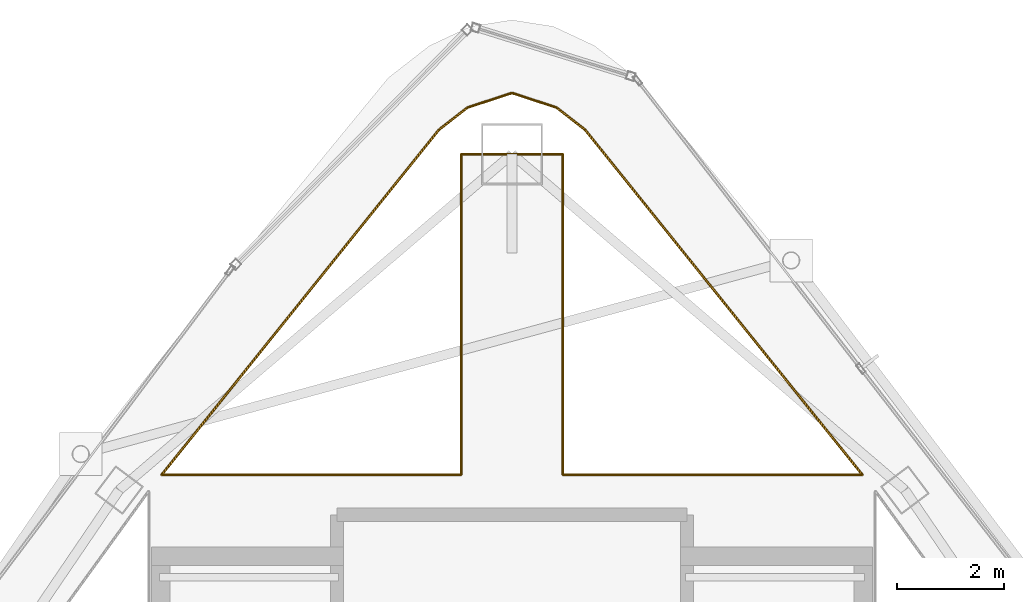
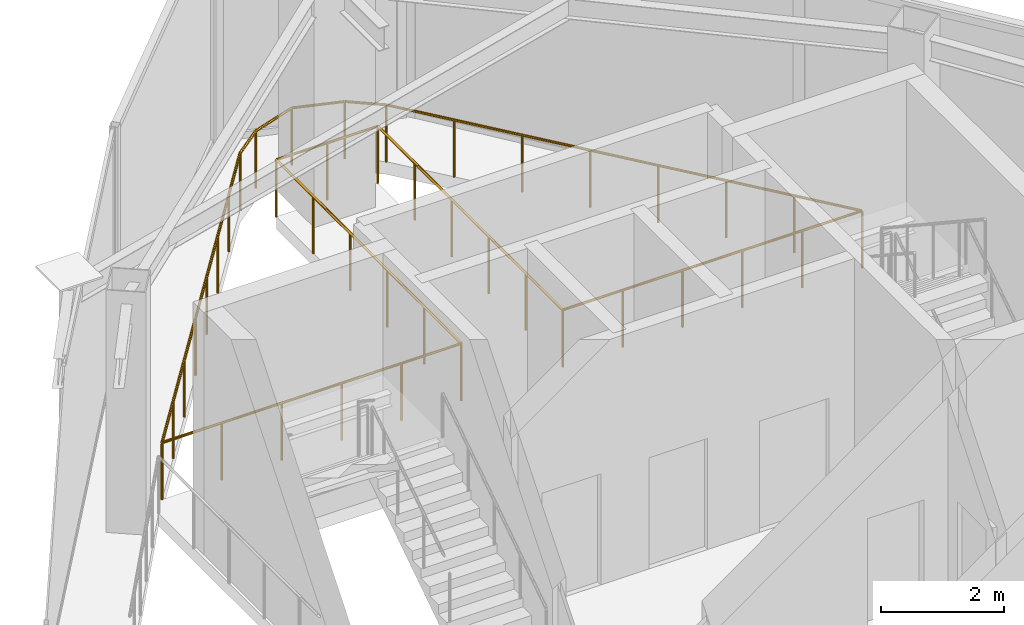
# One storey, part 19 of 19: 1 railing.
"""IFC4 building model written with IfcOpenShell, lengths in metres."""

from ifc_helpers import new_model, si_unit, direction, frame, origin, origin_2d, place, context, subcontext, project, spatial, circle, extrude, material, type_object, element, save


model = new_model("IFC4")

# Units and contexts
model_context = context("Model", 3, precision=1e-05, world=origin(), true_north=direction((0.0, 1.0)))
body_context = subcontext(model_context, "Body", "Model", "MODEL_VIEW")
ifc_project = project(units=[si_unit("LENGTHUNIT", "METRE"), si_unit("AREAUNIT", "SQUARE_METRE"), si_unit("VOLUMEUNIT", "CUBIC_METRE"), si_unit("PLANEANGLEUNIT", "RADIAN"), si_unit("MASSUNIT", "GRAM", prefix="KILO")], contexts=[model_context])

# Site, building, storey
site_placement = place(None, origin())
site = spatial("IfcSite", under=ifc_project, at=site_placement, CompositionType="ELEMENT")
building_placement = place(site_placement, origin())
building = spatial("IfcBuilding", under=site, at=building_placement, Name="Orvanel Arch Residences", CompositionType="ELEMENT")
storey_placement = place(building_placement, frame((0.0, 0.0, 290.89990234375)))
storey = spatial("IfcBuildingStorey", under=building, at=storey_placement, Name="L82", CompositionType="ELEMENT", Elevation=290.89990234375)

# Railing
ifc_material = material(Name="Bronze-anodised aluminium AA6063-T6", Category="aluminium")
railing_type = type_object("IfcRailingType", Name="RL-ATR-1150", PredefinedType="BALUSTRADE", material=ifc_material)
railing_placement = place(storey_placement, frame((39.554931640625, 35.39990234375, 0.0)))
element("IfcRailing", 1, at=railing_placement, inside=storey, type_object=railing_type, Name="L82 Crown Conservatory Void 1 Balustrade", PredefinedType="BALUSTRADE", context=body_context, shape_type="SweptSolid", body=[
    extrude(circle(Radius=0.02392578125, at=origin_2d()), frame((-0.00146484375, 0.0, 1.1259765625), z_axis=(-1.0, 0.0, 0.0), x_axis=(0.0, -1.0, 0.0)), (0.0, 0.0, 1.0), 5.60205078125),
    extrude(circle(Radius=0.02392578125, at=origin_2d()), frame((-5.60498046875, 0.00146484375, 1.1259765625), z_axis=(0.0, 1.0, 0.0), x_axis=(-1.0, 0.0, 0.0)), (0.0, 0.0, 1.0), 5.9951171875),
    extrude(circle(Radius=0.02392578125, at=origin_2d()), frame((-5.6064453125, 5.998046875, 1.1259765625), z_axis=(-1.0, 0.0, 0.0), x_axis=(0.0, -1.0, 0.0)), (0.0, 0.0, 1.0), 1.89697265625),
    extrude(circle(Radius=0.02392578125, at=origin_2d()), frame((-7.5048828125, 5.99658203125, 1.1259765625), z_axis=(0.0, -1.0, 0.0), x_axis=(1.0, 0.0, 0.0)), (0.0, 0.0, 1.0), 5.9951171875),
    extrude(circle(Radius=0.02392578125, at=origin_2d()), frame((-7.50634765625, 0.0, 1.1259765625), z_axis=(-1.0, 0.0, 0.0), x_axis=(0.0, -1.0, 0.0)), (0.0, 0.0, 1.0), 5.60205078125),
    extrude(circle(Radius=0.02392578125, at=origin_2d()), frame((-13.10888671875, 0.001220703125, 1.1259765625), z_axis=(0.626455081924, 0.779457523109, 0.0), x_axis=(-0.779457523109, 0.626455081924, 0.0)), (0.0, 0.0, 1.0), 8.278564453125),
    extrude(circle(Radius=0.02392578125, at=origin_2d()), frame((-7.920654296875, 6.4560546875, 1.1259765625), z_axis=(0.788982312602, 0.614415909951, 0.0), x_axis=(-0.614415909951, 0.788982312602, 0.0)), (0.0, 0.0, 1.0), 0.672607421875),
    extrude(circle(Radius=0.02392578125, at=origin_2d()), frame((-7.387451171875, 6.87060546875, 1.1259765625), z_axis=(0.950394138298, 0.311048198658, 0.0), x_axis=(-0.311048198658, 0.950394138298, 0.0)), (0.0, 0.0, 1.0), 0.87451171875),
    extrude(circle(Radius=0.02392578125, at=origin_2d()), frame((-6.553466796875, 7.142578125, 1.1259765625), z_axis=(0.950394138298, -0.311048198658, 0.0), x_axis=(0.311048198658, 0.950394138298, 0.0)), (0.0, 0.0, 1.0), 0.87451171875),
    extrude(circle(Radius=0.02392578125, at=origin_2d()), frame((-5.7197265625, 6.869140625, 1.1259765625), z_axis=(0.788982312602, -0.614415909951, 0.0), x_axis=(0.614415909951, 0.788982312602, 0.0)), (0.0, 0.0, 1.0), 0.672607421875),
    extrude(circle(Radius=0.02392578125, at=origin_2d()), frame((-5.18701171875, 6.453857421875, 1.1259765625), z_axis=(0.626455081924, -0.779457523109, 0.0), x_axis=(0.779457523109, 0.626455081924, 0.0)), (0.0, 0.0, 1.0), 8.278564453125),
    extrude(circle(Radius=0.02099609375, at=origin_2d()), origin(), (0.0, 0.0, 1.0), 1.099853515625),
    extrude(circle(Radius=0.02099609375, at=origin_2d()), frame((-1.12109375, 0.0, 0.0)), (0.0, 0.0, 1.0), 1.099853515625),
    extrude(circle(Radius=0.02099609375, at=origin_2d()), frame((-2.241943359375, 0.0, 0.0)), (0.0, 0.0, 1.0), 1.099853515625),
    extrude(circle(Radius=0.02099609375, at=origin_2d()), frame((-3.363037109375, 0.0, 0.0)), (0.0, 0.0, 1.0), 1.099853515625),
    extrude(circle(Radius=0.02099609375, at=origin_2d()), frame((-4.48388671875, 0.0, 0.0)), (0.0, 0.0, 1.0), 1.099853515625),
    extrude(circle(Radius=0.02099609375, at=origin_2d()), frame((-5.60498046875, 0.0, 0.0)), (0.0, 0.0, 1.0), 1.099853515625),
    extrude(circle(Radius=0.02099609375, at=origin_2d()), frame((-5.60498046875, 1.19970703125, 0.0)), (0.0, 0.0, 1.0), 1.099853515625),
    extrude(circle(Radius=0.02099609375, at=origin_2d()), frame((-5.60498046875, 2.399169921875, 0.0)), (0.0, 0.0, 1.0), 1.099853515625),
    extrude(circle(Radius=0.02099609375, at=origin_2d()), frame((-5.60498046875, 3.598876953125, 0.0)), (0.0, 0.0, 1.0), 1.099853515625),
    extrude(circle(Radius=0.02099609375, at=origin_2d()), frame((-5.60498046875, 4.79833984375, 0.0)), (0.0, 0.0, 1.0), 1.099853515625),
    extrude(circle(Radius=0.02099609375, at=origin_2d()), frame((-5.60498046875, 5.998046875, 0.0)), (0.0, 0.0, 1.0), 1.099853515625),
    extrude(circle(Radius=0.02099609375, at=origin_2d()), frame((-6.554931640625, 5.998046875, 0.0)), (0.0, 0.0, 1.0), 1.099853515625),
    extrude(circle(Radius=0.02099609375, at=origin_2d()), frame((-7.5048828125, 5.998046875, 0.0)), (0.0, 0.0, 1.0), 1.099853515625),
    extrude(circle(Radius=0.02099609375, at=origin_2d()), frame((-7.5048828125, 4.79833984375, 0.0)), (0.0, 0.0, 1.0), 1.099853515625),
    extrude(circle(Radius=0.02099609375, at=origin_2d()), frame((-7.5048828125, 3.598876953125, 0.0)), (0.0, 0.0, 1.0), 1.099853515625),
    extrude(circle(Radius=0.02099609375, at=origin_2d()), frame((-7.5048828125, 2.399169921875, 0.0)), (0.0, 0.0, 1.0), 1.099853515625),
    extrude(circle(Radius=0.02099609375, at=origin_2d()), frame((-7.5048828125, 1.19970703125, 0.0)), (0.0, 0.0, 1.0), 1.099853515625),
    extrude(circle(Radius=0.02099609375, at=origin_2d()), frame((-7.5048828125, 0.0, 0.0)), (0.0, 0.0, 1.0), 1.099853515625),
    extrude(circle(Radius=0.02099609375, at=origin_2d()), frame((-8.6259765625, 0.0, 0.0)), (0.0, 0.0, 1.0), 1.099853515625),
    extrude(circle(Radius=0.02099609375, at=origin_2d()), frame((-9.746826171875, 0.0, 0.0)), (0.0, 0.0, 1.0), 1.099853515625),
    extrude(circle(Radius=0.02099609375, at=origin_2d()), frame((-10.867919921875, 0.0, 0.0)), (0.0, 0.0, 1.0), 1.099853515625),
    extrude(circle(Radius=0.02099609375, at=origin_2d()), frame((-11.98876953125, 0.0, 0.0)), (0.0, 0.0, 1.0), 1.099853515625),
    extrude(circle(Radius=0.02099609375, at=origin_2d()), frame((-13.10986328125, 0.0, 0.0)), (0.0, 0.0, 1.0), 1.099853515625),
    extrude(circle(Radius=0.02099609375, at=origin_2d()), frame((-12.36865234375, 0.922119140625, 0.0)), (0.0, 0.0, 1.0), 1.099853515625),
    extrude(circle(Radius=0.02099609375, at=origin_2d()), frame((-11.627685546875, 1.84423828125, 0.0)), (0.0, 0.0, 1.0), 1.099853515625),
    extrude(circle(Radius=0.02099609375, at=origin_2d()), frame((-10.886474609375, 2.766357421875, 0.0)), (0.0, 0.0, 1.0), 1.099853515625),
    extrude(circle(Radius=0.02099609375, at=origin_2d()), frame((-10.145263671875, 3.688720703125, 0.0)), (0.0, 0.0, 1.0), 1.099853515625),
    extrude(circle(Radius=0.02099609375, at=origin_2d()), frame((-9.404052734375, 4.61083984375, 0.0)), (0.0, 0.0, 1.0), 1.099853515625),
    extrude(circle(Radius=0.02099609375, at=origin_2d()), frame((-8.6630859375, 5.532958984375, 0.0)), (0.0, 0.0, 1.0), 1.099853515625),
    extrude(circle(Radius=0.02099609375, at=origin_2d()), frame((-7.921875, 6.455078125, 0.0)), (0.0, 0.0, 1.0), 1.099853515625),
    extrude(circle(Radius=0.02099609375, at=origin_2d()), frame((-7.388916015625, 6.8701171875, 0.0)), (0.0, 0.0, 1.0), 1.099853515625),
    extrude(circle(Radius=0.02099609375, at=origin_2d()), frame((-6.554931640625, 7.14306640625, 0.0)), (0.0, 0.0, 1.0), 1.099853515625),
    extrude(circle(Radius=0.02099609375, at=origin_2d()), frame((-5.720947265625, 6.8701171875, 0.0)), (0.0, 0.0, 1.0), 1.099853515625),
    extrude(circle(Radius=0.02099609375, at=origin_2d()), frame((-5.18798828125, 6.455078125, 0.0)), (0.0, 0.0, 1.0), 1.099853515625),
    extrude(circle(Radius=0.02099609375, at=origin_2d()), frame((-4.44677734375, 5.532958984375, 0.0)), (0.0, 0.0, 1.0), 1.099853515625),
    extrude(circle(Radius=0.02099609375, at=origin_2d()), frame((-3.705810546875, 4.61083984375, 0.0)), (0.0, 0.0, 1.0), 1.099853515625),
    extrude(circle(Radius=0.02099609375, at=origin_2d()), frame((-2.964599609375, 3.688720703125, 0.0)), (0.0, 0.0, 1.0), 1.099853515625),
    extrude(circle(Radius=0.02099609375, at=origin_2d()), frame((-2.223388671875, 2.766357421875, 0.0)), (0.0, 0.0, 1.0), 1.099853515625),
    extrude(circle(Radius=0.02099609375, at=origin_2d()), frame((-1.482177734375, 1.84423828125, 0.0)), (0.0, 0.0, 1.0), 1.099853515625),
    extrude(circle(Radius=0.02099609375, at=origin_2d()), frame((-0.7412109375, 0.922119140625, 0.0)), (0.0, 0.0, 1.0), 1.099853515625),
])

save(model, "model.ifc")
